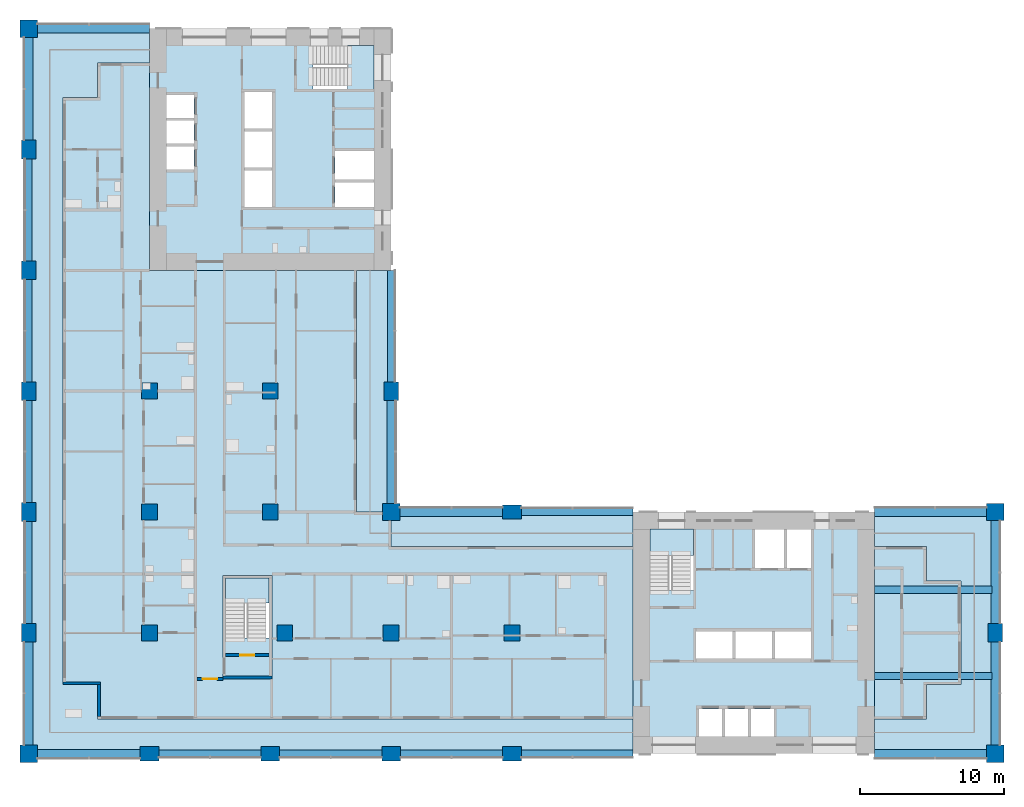
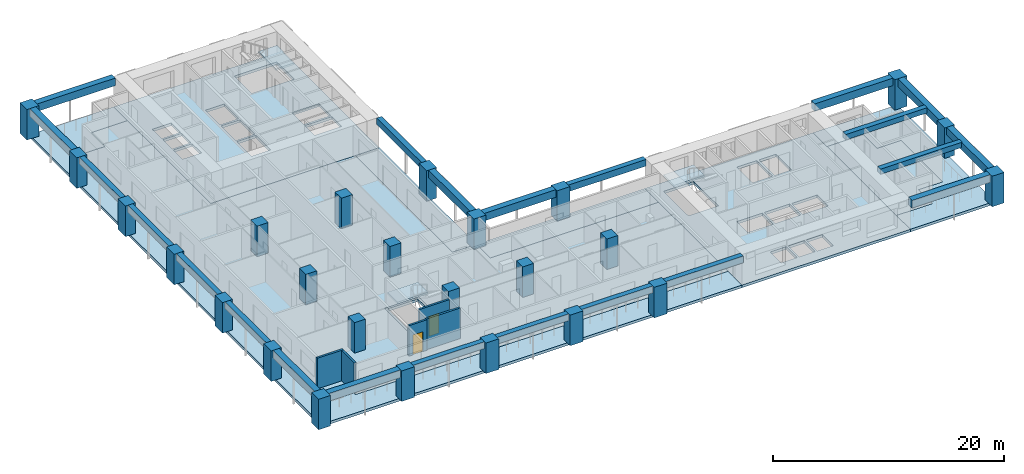
# One storey, part 1 of 17: 25 columns, 22 beams, 12 slabs, 5 walls, 2 doors, 2 openings, 3 elements without a shape of their own.
"""IFC4 building model written with IfcOpenShell, lengths in metres."""

from ifc_helpers import new_model, si_unit, direction, frame, frame_2d, origin, origin_2d, place, context, subcontext, project, spatial, polyline, rectangle, outline, extrude, material, layer, layer_set, material_profile, profile_set, type_object, element, fill, aggregate, save


model = new_model("IFC4")

# Units and contexts
model_context = context("Model", 3, precision=1e-05, world=origin(), true_north=direction((0.0, 1.0)))
body_context = subcontext(model_context, "Body", "Model", "MODEL_VIEW")
ifc_project = project(units=[si_unit("LENGTHUNIT", "METRE"), si_unit("AREAUNIT", "SQUARE_METRE"), si_unit("VOLUMEUNIT", "CUBIC_METRE"), si_unit("PLANEANGLEUNIT", "RADIAN"), si_unit("MASSUNIT", "GRAM", prefix="KILO")], contexts=[model_context])

# Site, building, storey
site_placement = place(None, origin())
site = spatial("IfcSite", under=ifc_project, at=site_placement, CompositionType="ELEMENT")
building_placement = place(site_placement, origin())
building = spatial("IfcBuilding", under=site, at=building_placement, Name="Vermilion Gate Residences", CompositionType="ELEMENT")
storey_placement = place(building_placement, frame((0.0, 0.0, 112.699951171875)))
storey = spatial("IfcBuildingStorey", under=building, at=storey_placement, Name="L28", CompositionType="ELEMENT", Elevation=112.699951171875)

# Columns
ifc_material_1 = material(Name="Concrete C70", Category="concrete")
ifc_material_profile_1 = material_profile(ifc_material_1, rectangle(XDim=1.10009765625, YDim=1.10009765625, at=origin_2d()), Name="RC-1100x1100")
ifc_profile_set_1 = profile_set([ifc_material_profile_1], Name="Concrete C70")
column_type_1 = type_object("IfcColumnType", Name="RC COLUMN 1100 X 1100 C70", PredefinedType="COLUMN", material=ifc_profile_set_1)
for number, where, z_axis, x_axis, name in (
    (1, (8.39990234375, 16.800048828125, 0.0), (0.0, 0.0, 1.0), (1.0, 0.0, 0.0), "Column 2-C L28"),
    (2, (8.39990234375, 25.199951171875, 0.0), (0.0, 0.0, 1.0), (1.0, 0.0, 0.0), "Column 2-D L28"),
    (3, (8.39990234375, 33.60009765625, 0.0), (0.0, 0.0, 1.0), (1.0, 0.0, 0.0), "Column 2-E L28"),
    (4, (17.800048828125, 16.800048828125, 0.0), (0.0, 0.0, 1.0), (1.0, 0.0, 0.0), "Column 3-C L28"),
    (5, (16.800048828125, 25.199951171875, 0.0), (0.0, 0.0, 1.0), (1.0, 0.0, 0.0), "Column 3-D L28"),
    (6, (16.800048828125, 33.60009765625, 0.0), (0.0, 0.0, 1.0), (1.0, 0.0, 0.0), "Column 3-E L28"),
    (7, (25.199951171875, 16.800048828125, 0.0), (0.0, 0.0, 1.0), (1.0, 0.0, 0.0), "Column 4-C L28"),
    (8, (33.60009765625, 16.800048828125, 0.0), (0.0, 0.0, 1.0), (1.0, 0.0, 0.0), "Column 5-C L28"),
):
    element("IfcColumn", number, at=place(storey_placement, frame(where, z_axis=z_axis, x_axis=x_axis)), inside=storey, type_object=column_type_1, Name=name, PredefinedType="COLUMN", context=body_context, shape_type="SweptSolid", body=[
        extrude(rectangle(XDim=1.10009765625, YDim=1.10009765625, at=origin_2d()), origin(), (0.0, 0.0, 1.0), 3.219970703125),
    ])
ifc_material_2 = material(Name="Concrete C70", Category="concrete")
ifc_material_profile_2 = material_profile(ifc_material_2, rectangle(XDim=1.199951171875, YDim=1.199951171875, at=origin_2d()), Name="RC-1200x1200")
ifc_profile_set_2 = profile_set([ifc_material_profile_2], Name="Concrete C70")
column_type_2 = type_object("IfcColumnType", Name="RC COLUMN 1200 X 1200 C70", PredefinedType="COLUMN", material=ifc_profile_set_2)
for number, where, z_axis, x_axis, name in (
    (9, (0.0, 8.39990234375, 0.0), (0.0, 0.0, 1.0), (1.0, 0.0, 0.0), "Column 1-B L28"),
    (10, (0.0, 58.800048828125, 0.0), (0.0, 0.0, 1.0), (1.0, 0.0, 0.0), "Column 1-H L28"),
    (11, (25.199951171875, 25.199951171875, 0.0), (0.0, 0.0, 1.0), (1.0, 0.0, 0.0), "Column 4-D L28"),
    (12, (67.199951171875, 8.39990234375, 0.0), (0.0, 0.0, 1.0), (1.0, 0.0, 0.0), "Column 9-B L28"),
    (13, (67.199951171875, 25.199951171875, 0.0), (0.0, 0.0, 1.0), (1.0, 0.0, 0.0), "Column 9-D L28"),
):
    element("IfcColumn", number, at=place(storey_placement, frame(where, z_axis=z_axis, x_axis=x_axis)), inside=storey, type_object=column_type_2, Name=name, PredefinedType="COLUMN", context=body_context, shape_type="SweptSolid", body=[
        extrude(rectangle(XDim=1.199951171875, YDim=1.199951171875, at=origin_2d()), origin(), (0.0, 0.0, 1.0), 3.219970703125),
    ])
ifc_material_3 = material(Name="Concrete C70", Category="concrete")
ifc_material_profile_3 = material_profile(ifc_material_3, rectangle(XDim=1.300048828125, YDim=1.0, at=origin_2d()), Name="RC-1300x1000")
ifc_profile_set_3 = profile_set([ifc_material_profile_3], Name="Concrete C70")
column_type_3 = type_object("IfcColumnType", Name="RC COLUMN 1300 X 1000 C70", PredefinedType="COLUMN", material=ifc_profile_set_3)
for number, where, z_axis, x_axis, name in (
    (14, (0.0, 16.800048828125, 0.0), (0.0, 0.0, 1.0), (0.0, 1.0, 0.0), "Column 1-C L28"),
    (15, (0.0, 25.199951171875, 0.0), (0.0, 0.0, 1.0), (0.0, 1.0, 0.0), "Column 1-D L28"),
    (16, (0.0, 33.60009765625, 0.0), (0.0, 0.0, 1.0), (0.0, 1.0, 0.0), "Column 1-E L28"),
    (17, (0.0, 42.0, 0.0), (0.0, 0.0, 1.0), (0.0, 1.0, 0.0), "Column 1-F L28"),
    (18, (0.0, 50.39990234375, 0.0), (0.0, 0.0, 1.0), (0.0, 1.0, 0.0), "Column 1-G L28"),
    (19, (8.39990234375, 8.39990234375, 0.0), (0.0, 0.0, 1.0), (1.0, 0.0, 0.0), "Column 2-B L28"),
    (20, (16.800048828125, 8.39990234375, 0.0), (0.0, 0.0, 1.0), (1.0, 0.0, 0.0), "Column 3-B L28"),
    (21, (25.199951171875, 8.39990234375, 0.0), (0.0, 0.0, 1.0), (1.0, 0.0, 0.0), "Column 4-B L28"),
    (22, (25.199951171875, 33.60009765625, 0.0), (0.0, 0.0, 1.0), (0.0, 1.0, 0.0), "Column 4-E L28"),
    (23, (33.60009765625, 8.39990234375, 0.0), (0.0, 0.0, 1.0), (1.0, 0.0, 0.0), "Column 5-B L28"),
    (24, (33.60009765625, 25.199951171875, 0.0), (0.0, 0.0, 1.0), (1.0, 0.0, 0.0), "Column 5-D L28"),
    (25, (67.199951171875, 16.800048828125, 0.0), (0.0, 0.0, 1.0), (0.0, 1.0, 0.0), "Column 9-C L28"),
):
    element("IfcColumn", number, at=place(storey_placement, frame(where, z_axis=z_axis, x_axis=x_axis)), inside=storey, type_object=column_type_3, Name=name, PredefinedType="COLUMN", context=body_context, shape_type="SweptSolid", body=[
        extrude(rectangle(XDim=1.300048828125, YDim=1.0, at=origin_2d()), origin(), (0.0, 0.0, 1.0), 3.219970703125),
    ])

# Beams
ifc_material_4 = material(Name="Concrete C60 red-oxide pigmented", Category="concrete")
ifc_material_profile_4 = material_profile(ifc_material_4, rectangle(XDim=0.60009765625, YDim=0.800048828125, at=origin_2d()), Name="RC-600x800")
ifc_profile_set_4 = profile_set([ifc_material_profile_4], Name="Concrete C60 red-oxide pigmented")
beam_type_1 = type_object("IfcBeamType", Name="RC CORNER EDGE BEAM 600 X 800 C60", PredefinedType="BEAM", material=ifc_profile_set_4)
for number, where, z_axis, x_axis, name in (
    (26, (0.60009765625, 8.39990234375, 2.820068359375), (1.0, 0.0, 0.0), (0.0, 1.0, 0.0), "Corner edge beam L28 1"),
    (27, (0.0, 9.0, 2.820068359375), (0.0, 1.0, 0.0), (-1.0, 0.0, 0.0), "Corner edge beam L28 2"),
):
    element("IfcBeam", number, at=place(storey_placement, frame(where, z_axis=z_axis, x_axis=x_axis)), inside=storey, type_object=beam_type_1, Name=name, PredefinedType="BEAM", context=body_context, shape_type="SweptSolid", body=[
        extrude(rectangle(XDim=0.60009765625, YDim=0.800048828125, at=origin_2d()), origin(), (0.0, 0.0, 1.0), 7.14990234375),
    ])
beam_1_placement = place(storey_placement, frame((0.60009765625, 58.800048828125, 2.820068359375), z_axis=(1.0, 0.0, 0.0), x_axis=(0.0, 1.0, 0.0)))
element("IfcBeam", 28, at=beam_1_placement, inside=storey, type_object=beam_type_1, Name="Corner edge beam L28 7", PredefinedType="BEAM", context=body_context, shape_type="SweptSolid", body=[
    extrude(rectangle(XDim=0.60009765625, YDim=0.800048828125, at=origin_2d()), origin(), (0.0, 0.0, 1.0), 7.7998046875),
])
for number, where, z_axis, x_axis, name in (
    (29, (0.0, 51.050048828125, 2.820068359375), (0.0, 1.0, 0.0), (-1.0, 0.0, 0.0), "Corner edge beam L28 8"),
    (30, (25.199951171875, 25.800048828125, 2.820068359375), (0.0, 1.0, 0.0), (-1.0, 0.0, 0.0), "Corner edge beam L28 11"),
    (31, (25.800048828125, 25.199951171875, 2.820068359375), (1.0, 0.0, 0.0), (0.0, 1.0, 0.0), "Corner edge beam L28 14"),
):
    element("IfcBeam", number, at=place(storey_placement, frame(where, z_axis=z_axis, x_axis=x_axis)), inside=storey, type_object=beam_type_1, Name=name, PredefinedType="BEAM", context=body_context, shape_type="SweptSolid", body=[
        extrude(rectangle(XDim=0.60009765625, YDim=0.800048828125, at=origin_2d()), origin(), (0.0, 0.0, 1.0), 7.14990234375),
    ])
beam_2_placement = place(storey_placement, frame((58.800048828125, 8.39990234375, 2.820068359375), z_axis=(1.0, 0.0, 0.0), x_axis=(0.0, 1.0, 0.0)))
element("IfcBeam", 32, at=beam_2_placement, inside=storey, type_object=beam_type_1, Name="Corner edge beam L28 17", PredefinedType="BEAM", context=body_context, shape_type="SweptSolid", body=[
    extrude(rectangle(XDim=0.60009765625, YDim=0.800048828125, at=origin_2d()), origin(), (0.0, 0.0, 1.0), 7.800048828125),
])
beam_3_placement = place(storey_placement, frame((67.199951171875, 9.0, 2.820068359375), z_axis=(0.0, 1.0, 0.0), x_axis=(-1.0, 0.0, 0.0)))
element("IfcBeam", 33, at=beam_3_placement, inside=storey, type_object=beam_type_1, Name="Corner edge beam L28 18", PredefinedType="BEAM", context=body_context, shape_type="SweptSolid", body=[
    extrude(rectangle(XDim=0.60009765625, YDim=0.800048828125, at=origin_2d()), origin(), (0.0, 0.0, 1.0), 7.14990234375),
])
beam_4_placement = place(storey_placement, frame((67.199951171875, 17.449951171875, 2.820068359375), z_axis=(0.0, 1.0, 0.0), x_axis=(-1.0, 0.0, 0.0)))
element("IfcBeam", 34, at=beam_4_placement, inside=storey, type_object=beam_type_1, Name="Corner edge beam L28 19", PredefinedType="BEAM", context=body_context, shape_type="SweptSolid", body=[
    extrude(rectangle(XDim=0.60009765625, YDim=0.800048828125, at=origin_2d()), origin(), (0.0, 0.0, 1.0), 7.150146484375),
])
beam_5_placement = place(storey_placement, frame((58.800048828125, 25.199951171875, 2.820068359375), z_axis=(1.0, 0.0, 0.0), x_axis=(0.0, 1.0, 0.0)))
element("IfcBeam", 35, at=beam_5_placement, inside=storey, type_object=beam_type_1, Name="Corner edge beam L28 20", PredefinedType="BEAM", context=body_context, shape_type="SweptSolid", body=[
    extrude(rectangle(XDim=0.60009765625, YDim=0.800048828125, at=origin_2d()), origin(), (0.0, 0.0, 1.0), 7.800048828125),
])
ifc_material_5 = material(Name="Concrete C60 red-oxide pigmented", Category="concrete")
ifc_material_profile_5 = material_profile(ifc_material_5, rectangle(XDim=0.5, YDim=0.699951171875, at=origin_2d()), Name="RC-500x700")
ifc_profile_set_5 = profile_set([ifc_material_profile_5], Name="Concrete C60 red-oxide pigmented")
beam_type_2 = type_object("IfcBeamType", Name="RC EDGE BEAM 500 X 700 C60", PredefinedType="BEAM", material=ifc_profile_set_5)
beam_6_placement = place(storey_placement, frame((0.0, 17.449951171875, 2.8701171875), z_axis=(0.0, 1.0, 0.0), x_axis=(-1.0, 0.0, 0.0)))
element("IfcBeam", 36, at=beam_6_placement, inside=storey, type_object=beam_type_2, Name="Edge beam L28 3", PredefinedType="BEAM", context=body_context, shape_type="SweptSolid", body=[
    extrude(rectangle(XDim=0.5, YDim=0.699951171875, at=origin_2d()), origin(), (0.0, 0.0, 1.0), 7.10009765625),
])
beam_7_placement = place(storey_placement, frame((0.0, 25.85009765625, 2.8701171875), z_axis=(0.0, 1.0, 0.0), x_axis=(-1.0, 0.0, 0.0)))
element("IfcBeam", 37, at=beam_7_placement, inside=storey, type_object=beam_type_2, Name="Edge beam L28 4", PredefinedType="BEAM", context=body_context, shape_type="SweptSolid", body=[
    extrude(rectangle(XDim=0.5, YDim=0.699951171875, at=origin_2d()), origin(), (0.0, 0.0, 1.0), 7.099853515625),
])
for number, where, z_axis, x_axis, name in (
    (38, (0.0, 34.25, 2.8701171875), (0.0, 1.0, 0.0), (-1.0, 0.0, 0.0), "Edge beam L28 5"),
    (39, (0.0, 42.64990234375, 2.8701171875), (0.0, 1.0, 0.0), (-1.0, 0.0, 0.0), "Edge beam L28 6"),
):
    element("IfcBeam", number, at=place(storey_placement, frame(where, z_axis=z_axis, x_axis=x_axis)), inside=storey, type_object=beam_type_2, Name=name, PredefinedType="BEAM", context=body_context, shape_type="SweptSolid", body=[
        extrude(rectangle(XDim=0.5, YDim=0.699951171875, at=origin_2d()), origin(), (0.0, 0.0, 1.0), 7.10009765625),
    ])
beam_8_placement = place(storey_placement, frame((9.050048828125, 8.39990234375, 2.8701171875), z_axis=(1.0, 0.0, 0.0), x_axis=(0.0, 1.0, 0.0)))
element("IfcBeam", 40, at=beam_8_placement, inside=storey, type_object=beam_type_2, Name="Edge beam L28 9", PredefinedType="BEAM", context=body_context, shape_type="SweptSolid", body=[
    extrude(rectangle(XDim=0.5, YDim=0.699951171875, at=origin_2d()), origin(), (0.0, 0.0, 1.0), 7.099853515625),
])
beam_9_placement = place(storey_placement, frame((17.449951171875, 8.39990234375, 2.8701171875), z_axis=(1.0, 0.0, 0.0), x_axis=(0.0, 1.0, 0.0)))
element("IfcBeam", 41, at=beam_9_placement, inside=storey, type_object=beam_type_2, Name="Edge beam L28 10", PredefinedType="BEAM", context=body_context, shape_type="SweptSolid", body=[
    extrude(rectangle(XDim=0.5, YDim=0.699951171875, at=origin_2d()), origin(), (0.0, 0.0, 1.0), 7.10009765625),
])
beam_10_placement = place(storey_placement, frame((25.199951171875, 34.25, 2.8701171875), z_axis=(0.0, 1.0, 0.0), x_axis=(-1.0, 0.0, 0.0)))
element("IfcBeam", 42, at=beam_10_placement, inside=storey, type_object=beam_type_2, Name="Edge beam L28 12", PredefinedType="BEAM", context=body_context, shape_type="SweptSolid", body=[
    extrude(rectangle(XDim=0.5, YDim=0.699951171875, at=origin_2d()), origin(), (0.0, 0.0, 1.0), 7.75),
])
beam_11_placement = place(storey_placement, frame((25.85009765625, 8.39990234375, 2.8701171875), z_axis=(1.0, 0.0, 0.0), x_axis=(0.0, 1.0, 0.0)))
element("IfcBeam", 43, at=beam_11_placement, inside=storey, type_object=beam_type_2, Name="Edge beam L28 13", PredefinedType="BEAM", context=body_context, shape_type="SweptSolid", body=[
    extrude(rectangle(XDim=0.5, YDim=0.699951171875, at=origin_2d()), origin(), (0.0, 0.0, 1.0), 7.099853515625),
])
for number, where, z_axis, x_axis, name in (
    (44, (34.25, 8.39990234375, 2.8701171875), (1.0, 0.0, 0.0), (0.0, 1.0, 0.0), "Edge beam L28 15"),
    (45, (34.25, 25.199951171875, 2.8701171875), (1.0, 0.0, 0.0), (0.0, 1.0, 0.0), "Edge beam L28 16"),
):
    element("IfcBeam", number, at=place(storey_placement, frame(where, z_axis=z_axis, x_axis=x_axis)), inside=storey, type_object=beam_type_2, Name=name, PredefinedType="BEAM", context=body_context, shape_type="SweptSolid", body=[
        extrude(rectangle(XDim=0.5, YDim=0.699951171875, at=origin_2d()), origin(), (0.0, 0.0, 1.0), 7.75),
    ])
ifc_material_6 = material(Name="Concrete C60", Category="concrete")
ifc_material_profile_6 = material_profile(ifc_material_6, rectangle(XDim=0.5, YDim=0.550048828125, at=origin_2d()), Name="RC-500x550")
ifc_profile_set_6 = profile_set([ifc_material_profile_6], Name="Concrete C60")
beam_type_3 = type_object("IfcBeamType", Name="RC WING BEAM 500 X 550 C60", PredefinedType="BEAM", material=ifc_profile_set_6)
for number, where, z_axis, x_axis, name in (
    (46, (58.800048828125, 13.800048828125, 2.945068359375), (1.0, 0.0, 0.0), (0.0, 1.0, 0.0), "Wing-end beam L28 1"),
    (47, (58.800048828125, 19.800048828125, 2.945068359375), (1.0, 0.0, 0.0), (0.0, 1.0, 0.0), "Wing-end beam L28 2"),
):
    element("IfcBeam", number, at=place(storey_placement, frame(where, z_axis=z_axis, x_axis=x_axis)), inside=storey, type_object=beam_type_3, Name=name, PredefinedType="BEAM", context=body_context, shape_type="SweptSolid", body=[
        extrude(rectangle(XDim=0.5, YDim=0.550048828125, at=origin_2d()), origin(), (0.0, 0.0, 1.0), 8.14990234375),
    ])

# Slabs
ifc_material_7 = material(Name="Concrete C50", Category="concrete")
ifc_layer_1 = layer(ifc_material_7, 0.280029296875)
ifc_layer_set_1 = layer_set([ifc_layer_1], Name="RC CORE FLOOR SLAB 280 C50")
slab_type_1 = type_object("IfcSlabType", Name="RC CORE FLOOR SLAB 280 C50", PredefinedType="FLOOR", material=ifc_layer_set_1)
slab_1_placement = place(storey_placement, frame((0.0, 0.0, -0.280029296875)))
element("IfcSlab", 48, at=slab_1_placement, inside=storey, type_object=slab_type_1, Name="Core floor slab A28", PredefinedType="FLOOR", context=body_context, shape_type="SweptSolid", body=[
    extrude(outline(polyline([(42.0, 8.39990234375), (58.800048828125, 8.39990234375), (58.800048828125, 25.199951171875), (42.0, 25.199951171875), (42.0, 8.39990234375)]), holes=[polyline([(46.60009765625, 11.5), (48.199951171875, 11.5), (48.199951171875, 9.60009765625), (46.60009765625, 9.60009765625), (46.60009765625, 11.5)]), polyline([(48.39990234375, 11.5), (50.0, 11.5), (50.0, 9.60009765625), (48.39990234375, 9.60009765625), (48.39990234375, 11.5)]), polyline([(50.199951171875, 11.5), (51.800048828125, 11.5), (51.800048828125, 9.60009765625), (50.199951171875, 9.60009765625), (50.199951171875, 11.5)]), polyline([(46.39990234375, 16.89990234375), (48.933349609375, 16.89990234375), (48.933349609375, 15.0), (46.39990234375, 15.0), (46.39990234375, 16.89990234375)]), polyline([(49.13330078125, 16.89990234375), (51.666748046875, 16.89990234375), (51.666748046875, 15.0), (49.13330078125, 15.0), (49.13330078125, 16.89990234375)]), polyline([(51.86669921875, 16.89990234375), (54.39990234375, 16.89990234375), (54.39990234375, 15.0), (51.86669921875, 15.0), (51.86669921875, 16.89990234375)]), polyline([(43.199951171875, 24.0), (46.199951171875, 24.0), (46.199951171875, 19.75), (43.199951171875, 19.75), (43.199951171875, 24.0)]), polyline([(52.5, 24.0), (52.5, 21.300048828125), (50.5, 21.300048828125), (50.5, 24.0), (52.5, 24.0)]), polyline([(54.39990234375, 24.0), (54.39990234375, 21.300048828125), (52.699951171875, 21.300048828125), (52.699951171875, 24.0), (54.39990234375, 24.0)])]), origin(), (0.0, 0.0, 1.0), 0.280029296875),
])
slab_2_placement = place(storey_placement, frame((0.0, 0.0, -0.280029296875)))
element("IfcSlab", 49, at=slab_2_placement, inside=storey, type_object=slab_type_1, Name="Core floor slab B28", PredefinedType="FLOOR", context=body_context, shape_type="SweptSolid", body=[
    extrude(outline(polyline([(8.39990234375, 42.0), (25.199951171875, 42.0), (25.199951171875, 58.800048828125), (8.39990234375, 58.800048828125), (8.39990234375, 42.0)]), holes=[polyline([(21.300048828125, 48.10009765625), (24.0, 48.10009765625), (24.0, 46.39990234375), (21.300048828125, 46.39990234375), (21.300048828125, 48.10009765625)]), polyline([(15.0, 48.933349609375), (16.89990234375, 48.933349609375), (16.89990234375, 46.39990234375), (15.0, 46.39990234375), (15.0, 48.933349609375)]), polyline([(21.300048828125, 50.300048828125), (24.0, 50.300048828125), (24.0, 48.300048828125), (21.300048828125, 48.300048828125), (21.300048828125, 50.300048828125)]), polyline([(9.60009765625, 50.60009765625), (11.5, 50.60009765625), (11.5, 49.0), (9.60009765625, 49.0), (9.60009765625, 50.60009765625)]), polyline([(15.0, 51.666748046875), (16.89990234375, 51.666748046875), (16.89990234375, 49.13330078125), (15.0, 49.13330078125), (15.0, 51.666748046875)]), polyline([(9.60009765625, 52.39990234375), (11.5, 52.39990234375), (11.5, 50.800048828125), (9.60009765625, 50.800048828125), (9.60009765625, 52.39990234375)]), polyline([(15.0, 54.39990234375), (16.89990234375, 54.39990234375), (16.89990234375, 51.86669921875), (15.0, 51.86669921875), (15.0, 54.39990234375)]), polyline([(11.5, 54.199951171875), (11.5, 52.60009765625), (9.60009765625, 52.60009765625), (9.60009765625, 54.199951171875), (11.5, 54.199951171875)]), polyline([(24.0, 57.60009765625), (24.0, 54.60009765625), (19.75, 54.60009765625), (19.75, 57.60009765625), (24.0, 57.60009765625)])]), origin(), (0.0, 0.0, 1.0), 0.280029296875),
])
slab_3_placement = place(storey_placement, frame((0.0, 0.0, -0.280029296875)))
element("IfcSlab", 50, at=slab_3_placement, inside=storey, type_object=slab_type_1, Name="Apex stair floor slab 28", PredefinedType="FLOOR", context=body_context, shape_type="SweptSolid", body=[
    extrude(outline(polyline([(13.5, 13.60009765625), (16.89990234375, 13.60009765625), (16.89990234375, 20.800048828125), (13.5, 20.800048828125), (13.5, 13.60009765625)]), holes=[polyline([(16.699951171875, 20.60009765625), (16.699951171875, 16.449951171875), (13.699951171875, 16.449951171875), (13.699951171875, 20.60009765625), (16.699951171875, 20.60009765625)])]), origin(), (0.0, 0.0, 1.0), 0.280029296875),
])
ifc_material_8 = material(Name="Concrete C50", Category="concrete")
ifc_layer_2 = layer(ifc_material_8, 0.280029296875)
ifc_layer_set_2 = layer_set([ifc_layer_2], Name="RC FLAT PLATE 280 C50")
slab_type_2 = type_object("IfcSlabType", Name="RC FLAT PLATE 280 C50", PredefinedType="FLOOR", material=ifc_layer_set_2)
slab_4_placement = place(storey_placement, frame((0.0, 0.0, -0.280029296875)))
element("IfcSlab", 51, at=slab_4_placement, inside=storey, type_object=slab_type_2, Name="Floor slab L28", PredefinedType="FLOOR", context=body_context, shape_type="SweptSolid", body=[
    extrude(outline(polyline([(22.800048828125, 25.199951171875), (22.800048828125, 42.0), (8.39990234375, 42.0), (8.39990234375, 56.39990234375), (4.800048828125, 56.39990234375), (4.800048828125, 54.0), (2.39990234375, 54.0), (2.39990234375, 13.199951171875), (4.800048828125, 13.199951171875), (4.800048828125, 10.800048828125), (42.0, 10.800048828125), (42.0, 22.800048828125), (25.199951171875, 22.800048828125), (25.199951171875, 25.199951171875), (22.800048828125, 25.199951171875)]), holes=[polyline([(13.5, 13.60009765625), (13.5, 20.800048828125), (16.89990234375, 20.800048828125), (16.89990234375, 13.60009765625), (13.5, 13.60009765625)])]), origin(), (0.0, 0.0, 1.0), 0.280029296875),
])
slab_5_placement = place(storey_placement, frame((0.0, 0.0, -0.280029296875)))
element("IfcSlab", 52, at=slab_5_placement, inside=storey, type_object=slab_type_2, Name="Floor slab L28", PredefinedType="FLOOR", context=body_context, shape_type="SweptSolid", body=[
    extrude(outline(polyline([(58.800048828125, 22.800048828125), (58.800048828125, 10.800048828125), (62.39990234375, 10.800048828125), (62.39990234375, 13.199951171875), (64.800048828125, 13.199951171875), (64.800048828125, 20.39990234375), (62.39990234375, 20.39990234375), (62.39990234375, 22.800048828125), (58.800048828125, 22.800048828125)])), origin(), (0.0, 0.0, 1.0), 0.280029296875),
])
ifc_material_9 = material(Name="Concrete C50 red-oxide pigmented", Category="concrete")
ifc_layer_3 = layer(ifc_material_9, 0.280029296875)
ifc_layer_set_3 = layer_set([ifc_layer_3], Name="RC LOGGIA SLAB 280 C50")
slab_type_3 = type_object("IfcSlabType", Name="RC LOGGIA SLAB 280 C50", PredefinedType="FLOOR", material=ifc_layer_set_3)
slab_6_placement = place(storey_placement, frame((0.0, 0.0, -0.280029296875)))
element("IfcSlab", 53, at=slab_6_placement, inside=storey, type_object=slab_type_3, Name="Loggia slab L28", PredefinedType="FLOOR", context=body_context, shape_type="SweptSolid", body=[
    extrude(outline(polyline([(0.0, 58.800048828125), (0.0, 8.39990234375), (42.0, 8.39990234375), (42.0, 10.800048828125), (4.800048828125, 10.800048828125), (4.800048828125, 13.199951171875), (2.39990234375, 13.199951171875), (2.39990234375, 54.0), (4.800048828125, 54.0), (4.800048828125, 56.39990234375), (8.39990234375, 56.39990234375), (8.39990234375, 58.800048828125), (0.0, 58.800048828125)])), origin(), (0.0, 0.0, 1.0), 0.280029296875),
])
slab_7_placement = place(storey_placement, frame((0.0, 0.0, -0.280029296875)))
element("IfcSlab", 54, at=slab_7_placement, inside=storey, type_object=slab_type_3, Name="Loggia slab L28", PredefinedType="FLOOR", context=body_context, shape_type="SweptSolid", body=[
    extrude(outline(polyline([(64.800048828125, 20.39990234375), (64.800048828125, 13.199951171875), (62.39990234375, 13.199951171875), (62.39990234375, 10.800048828125), (58.800048828125, 10.800048828125), (58.800048828125, 8.39990234375), (67.199951171875, 8.39990234375), (67.199951171875, 25.199951171875), (58.800048828125, 25.199951171875), (58.800048828125, 22.800048828125), (62.39990234375, 22.800048828125), (62.39990234375, 20.39990234375), (64.800048828125, 20.39990234375)])), origin(), (0.0, 0.0, 1.0), 0.280029296875),
])
slab_8_placement = place(storey_placement, frame((0.0, 0.0, -0.280029296875)))
element("IfcSlab", 55, at=slab_8_placement, inside=storey, type_object=slab_type_3, Name="Loggia slab L28", PredefinedType="FLOOR", context=body_context, shape_type="SweptSolid", body=[
    extrude(outline(polyline([(25.199951171875, 22.800048828125), (42.0, 22.800048828125), (42.0, 25.199951171875), (25.199951171875, 25.199951171875), (25.199951171875, 22.800048828125)])), origin(), (0.0, 0.0, 1.0), 0.280029296875),
])
slab_9_placement = place(storey_placement, frame((0.0, 0.0, -0.280029296875)))
element("IfcSlab", 56, at=slab_9_placement, inside=storey, type_object=slab_type_3, Name="Loggia slab L28", PredefinedType="FLOOR", context=body_context, shape_type="SweptSolid", body=[
    extrude(outline(polyline([(25.199951171875, 25.199951171875), (25.199951171875, 42.0), (22.800048828125, 42.0), (22.800048828125, 25.199951171875), (25.199951171875, 25.199951171875)])), origin(), (0.0, 0.0, 1.0), 0.280029296875),
])

# Stair, slab
ifc_material_10 = material(Name="Concrete C50", Category="concrete")
stair_type = type_object("IfcStairType", Name="SPECIAL ESCAPE STAIR 1300", PredefinedType="HALF_TURN_STAIR", material=ifc_material_10)
stair_1_placement = place(storey_placement, origin())
stair_1 = element("IfcStair", 57, at=stair_1_placement, inside=storey, type_object=stair_type, Name="Special escape stair STA1-28", PredefinedType="HALF_TURN_STAIR")
ifc_material_11 = material(Name="Concrete C50", Category="concrete")
ifc_layer_4 = layer(ifc_material_11, 0.199951171875)
ifc_layer_set_4 = layer_set([ifc_layer_4], Name="STAIR LANDING 200 C50")
slab_type_4 = type_object("IfcSlabType", Name="STAIR LANDING 200 C50", PredefinedType="LANDING", material=ifc_layer_set_4)
slab_10_placement = place(storey_placement, frame((0.0, 0.0, 1.550048828125)))
slab_10 = element("IfcSlab", 58, at=slab_10_placement, type_object=slab_type_4, Name="STA1-28 landing 1", PredefinedType="LANDING", context=body_context, shape_type="SweptSolid", body=[
    extrude(outline(polyline([(46.219970703125, 22.179931640625), (46.219970703125, 24.02001953125), (43.179931640625, 24.02001953125), (43.179931640625, 22.179931640625), (46.219970703125, 22.179931640625)])), origin(), (0.0, 0.0, 1.0), 0.199951171875),
])
aggregate(stair_1, [slab_10])

stair_2_placement = place(storey_placement, origin())
stair_2 = element("IfcStair", 59, at=stair_2_placement, inside=storey, type_object=stair_type, Name="Special escape stair STB1-28", PredefinedType="HALF_TURN_STAIR")
slab_11_placement = place(storey_placement, frame((0.0, 0.0, 1.550048828125)))
slab_11 = element("IfcSlab", 60, at=slab_11_placement, type_object=slab_type_4, Name="STB1-28 landing 1", PredefinedType="LANDING", context=body_context, shape_type="SweptSolid", body=[
    extrude(outline(polyline([(24.02001953125, 54.580078125), (24.02001953125, 57.6201171875), (22.179931640625, 57.6201171875), (22.179931640625, 54.580078125), (24.02001953125, 54.580078125)])), origin(), (0.0, 0.0, 1.0), 0.199951171875),
])
aggregate(stair_2, [slab_11])

stair_3_placement = place(storey_placement, origin())
stair_3 = element("IfcStair", 61, at=stair_3_placement, inside=storey, type_object=stair_type, Name="Special escape stair STC1-28", PredefinedType="HALF_TURN_STAIR")
slab_12_placement = place(storey_placement, frame((0.0, 0.0, 1.550048828125)))
slab_12 = element("IfcSlab", 62, at=slab_12_placement, type_object=slab_type_4, Name="STC1-28 landing 1", PredefinedType="LANDING", context=body_context, shape_type="SweptSolid", body=[
    extrude(outline(polyline([(16.719970703125, 18.8798828125), (16.719970703125, 20.6201171875), (13.679931640625, 20.6201171875), (13.679931640625, 18.8798828125), (16.719970703125, 18.8798828125)])), origin(), (0.0, 0.0, 1.0), 0.199951171875),
])
aggregate(stair_3, [slab_12])

# Walls
ifc_material_12 = material(Name="Insulated steel stud wall with terracotta rainscreen", Category="masonry")
ifc_layer_5 = layer(ifc_material_12, 0.199951171875)
ifc_layer_set_5 = layer_set([ifc_layer_5], Name="EXTERNAL WALL 200 TERRACOTTA RAINSCREEN")
wall_type_1 = type_object("IfcWallType", Name="EXTERNAL WALL 200 TERRACOTTA RAINSCREEN", PredefinedType="SOLIDWALL", material=ifc_layer_set_5)
wall_1_placement = place(storey_placement, frame((2.39990234375, 13.300048828125, 0.0), z_axis=(0.0, 0.0, 1.0), x_axis=(1.0, 0.0, 0.0)))
element("IfcWall", 63, at=wall_1_placement, inside=storey, type_object=wall_type_1, Name="External wall", PredefinedType="SOLIDWALL", context=body_context, shape_type="SweptSolid", body=[
    extrude(rectangle(XDim=2.60009765625, YDim=0.199951171875, at=frame_2d((1.300048828125, 0.0))), origin(), (0.0, 0.0, 1.0), 3.219970703125),
])
wall_2_placement = place(storey_placement, frame((4.89990234375, 13.199951171875, 0.0), z_axis=(0.0, 0.0, 1.0), x_axis=(0.0, -1.0, 0.0)))
element("IfcWall", 64, at=wall_2_placement, inside=storey, type_object=wall_type_1, Name="External wall", PredefinedType="SOLIDWALL", context=body_context, shape_type="SweptSolid", body=[
    extrude(rectangle(XDim=2.199951171875, YDim=0.199951171875, at=frame_2d((1.10009765625, 0.0))), origin(), (0.0, 0.0, 1.0), 3.219970703125),
])

# Wall, opening, door
ifc_material_13 = material(Name="Fire-rated plasterboard on steel studs", Category="steel")
ifc_layer_6 = layer(ifc_material_13, 0.199951171875)
ifc_layer_set_6 = layer_set([ifc_layer_6], Name="PARTY WALL 200 EI 120")
wall_type_2 = type_object("IfcWallType", Name="PARTY WALL 200 EI 120", PredefinedType="PARTITIONING", material=ifc_layer_set_6)
wall_3_placement = place(storey_placement, frame((11.699951171875, 13.60009765625, 0.0), z_axis=(0.0, 0.0, 1.0), x_axis=(1.0, 0.0, 0.0)))
wall_3 = element("IfcWall", 65, at=wall_3_placement, inside=storey, type_object=wall_type_2, Name="Party and corridor wall", PredefinedType="PARTITIONING", context=body_context, shape_type="SweptSolid", body=[
    extrude(rectangle(XDim=1.800048828125, YDim=0.199951171875, at=frame_2d((0.89990234375, 0.0))), origin(), (0.0, 0.0, 1.0), 3.219970703125),
])
opening_1_placement = place(wall_3_placement, frame((0.39990234375, 0.0, 0.0)))
opening_1 = element("IfcOpeningElement", 66, at=opening_1_placement, cuts=wall_3, Name="Opening DA28001", PredefinedType="OPENING", context=body_context, shape_type="SweptSolid", body=[
    extrude(rectangle(XDim=1.0, YDim=2.10009765625, at=frame_2d((0.5, 1.050048828125))), frame((0.0, 0.10986328125, 0.0), z_axis=(0.0, -1.0, 0.0), x_axis=(1.0, 0.0, 0.0)), (0.0, 0.0, 1.0), 0.219970703125),
])
ifc_material_14 = material(Name="Steel", Category="steel")
door_type_1 = type_object("IfcDoorType", Name="ENTRANCE DOOR 1000 X 2100 FD30", OperationType="SINGLE_SWING_LEFT", PredefinedType="DOOR", material=ifc_material_14)
door_1_placement = place(opening_1_placement, frame((1.0, 0.0, 0.0), z_axis=(0.0, 0.0, 1.0), x_axis=(-1.0, 0.0, 0.0)))
door_1 = element("IfcDoor", 67, at=door_1_placement, inside=storey, type_object=door_type_1, Name="Entrance door", OperationType="SINGLE_SWING_RIGHT", OverallHeight=2.10009765625, OverallWidth=1.0, PredefinedType="DOOR", context=body_context, shape_type="SweptSolid", body=[
    extrude(rectangle(XDim=1.0, YDim=2.10009765625, at=frame_2d((0.5, 1.050048828125))), frame((0.0, 0.02490234375, 0.0), z_axis=(0.0, -1.0, 0.0), x_axis=(1.0, 0.0, 0.0)), (0.0, 0.0, 1.0), 0.050048828125),
])
fill(opening_1, door_1)

# Wall
ifc_material_15 = material(Name="Concrete C60", Category="concrete")
ifc_layer_7 = layer(ifc_material_15, 0.199951171875)
ifc_layer_set_7 = layer_set([ifc_layer_7], Name="RC CORE INTERNAL WALL 200 C60")
wall_type_3 = type_object("IfcWallType", Name="RC CORE INTERNAL WALL 200 C60", PredefinedType="SHEAR", material=ifc_layer_set_7)
wall_4_placement = place(storey_placement, frame((13.5, 13.699951171875, 0.0), z_axis=(0.0, 0.0, 1.0), x_axis=(1.0, 0.0, 0.0)))
element("IfcWall", 68, at=wall_4_placement, inside=storey, type_object=wall_type_3, Name="Core internal wall C28-S", PredefinedType="SHEAR", context=body_context, shape_type="SweptSolid", body=[
    extrude(rectangle(XDim=3.39990234375, YDim=0.199951171875, at=frame_2d((1.699951171875, 0.0))), origin(), (0.0, 0.0, 1.0), 3.219970703125),
])

# Wall, opening, door
wall_5_placement = place(storey_placement, frame((13.699951171875, 15.25, 0.0), z_axis=(0.0, 0.0, 1.0), x_axis=(1.0, 0.0, 0.0)))
wall_5 = element("IfcWall", 69, at=wall_5_placement, inside=storey, type_object=wall_type_3, Name="Core internal wall C28-P", PredefinedType="SHEAR", context=body_context, shape_type="SweptSolid", body=[
    extrude(rectangle(XDim=3.0, YDim=0.199951171875, at=frame_2d((1.5, 0.0))), origin(), (0.0, 0.0, 1.0), 3.219970703125),
])
opening_2_placement = place(wall_5_placement, frame((1.0, 0.0, 0.0)))
opening_2 = element("IfcOpeningElement", 70, at=opening_2_placement, cuts=wall_5, Name="Opening DK28202", PredefinedType="OPENING", context=body_context, shape_type="SweptSolid", body=[
    extrude(rectangle(XDim=1.0, YDim=2.10009765625, at=frame_2d((0.5, 1.050048828125))), frame((0.0, 0.10986328125, 0.0), z_axis=(0.0, -1.0, 0.0), x_axis=(1.0, 0.0, 0.0)), (0.0, 0.0, 1.0), 0.219970703125),
])
ifc_material_16 = material(Name="Steel", Category="steel")
door_type_2 = type_object("IfcDoorType", Name="FIRE DOOR FD60 1000 X 2100", OperationType="SINGLE_SWING_LEFT", PredefinedType="DOOR", material=ifc_material_16)
door_2_placement = place(opening_2_placement, origin())
door_2 = element("IfcDoor", 71, at=door_2_placement, inside=storey, type_object=door_type_2, Name="Stair door C28", OperationType="SINGLE_SWING_LEFT", OverallHeight=2.10009765625, OverallWidth=1.0, PredefinedType="DOOR", context=body_context, shape_type="SweptSolid", body=[
    extrude(rectangle(XDim=1.0, YDim=2.10009765625, at=frame_2d((0.5, 1.050048828125))), frame((0.0, 0.02490234375, 0.0), z_axis=(0.0, -1.0, 0.0), x_axis=(1.0, 0.0, 0.0)), (0.0, 0.0, 1.0), 0.050048828125),
])
fill(opening_2, door_2)

save(model, "model.ifc")
